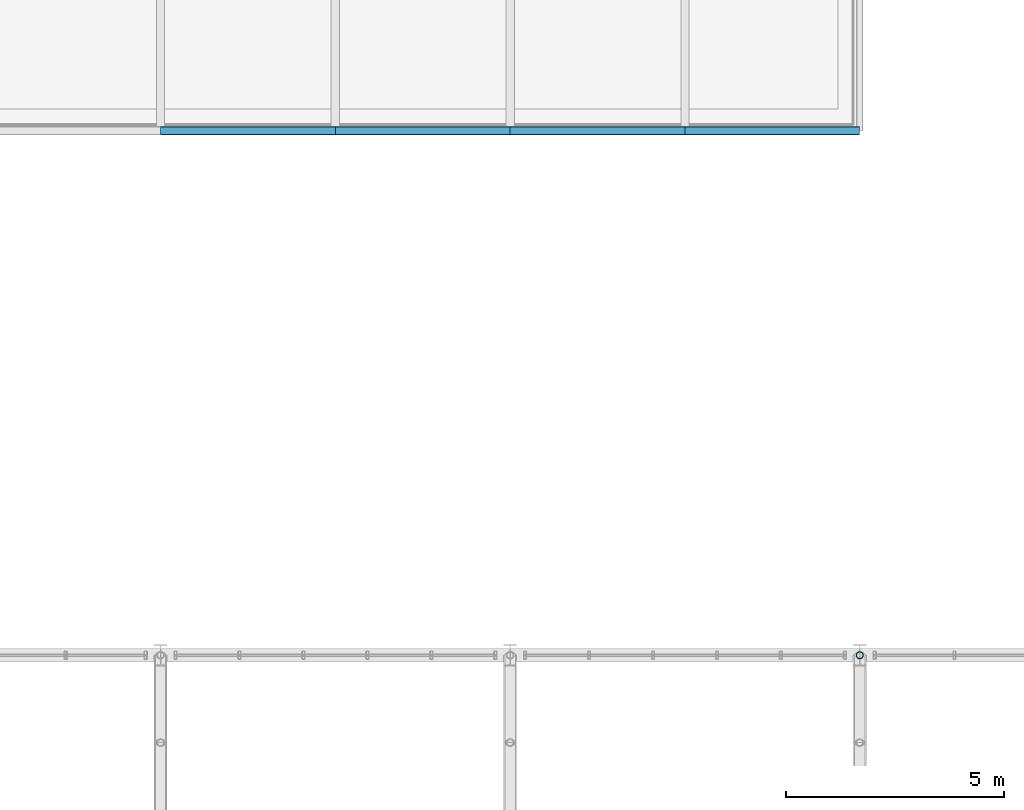
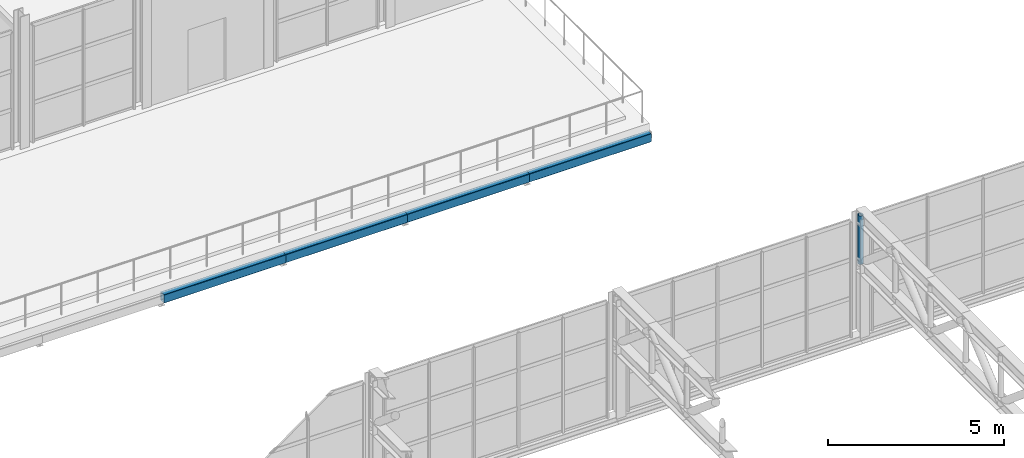
# One storey, part 38 of 67: 4 beams, 1 member.
"""IFC4 building model written with IfcOpenShell, lengths in metres."""

import ifcopenshell
import ifcopenshell.guid

model = None  # the IFC model being written
_history = None  # IfcOwnerHistory: only IFC2X3 demands one
_inside = {}  # id of a spatial element -> (the spatial element, [elements in it])
_under = {}  # id of a project, library or spatial element -> (it, [spatial elements below it])
_declared = {}  # id of a project -> (the project, [libraries it declares])
_typed = {}  # id of a type object -> (the type object, [elements of that type])
_made_of = {}  # id of a material, layer set ... -> (it, [elements and type objects made of it])


def new_model(schema):
    """Start an empty IFC model of exactly this schema.

    Asked for "IFC4X3", IfcOpenShell would pick the latest addendum, in which some entities
    have other attributes; the version numbers below select the first issue.
    IFC2X3 requires an IfcOwnerHistory on every rooted entity: one is made here for all.
    """
    global model, _history
    if schema == "IFC4X3":
        model = ifcopenshell.file(schema_version=(4, 3, 0, 0))
    else:
        model = ifcopenshell.file(schema=schema)
    _inside.clear()
    _under.clear()
    _declared.clear()
    _typed.clear()
    _made_of.clear()
    _history = None
    if model.schema == "IFC2X3":
        org = make("IfcOrganization", Name="unknown")
        user = make(
            "IfcPersonAndOrganization",
            ThePerson=make("IfcPerson", FamilyName="unknown"),
            TheOrganization=org,
        )
        app = make(
            "IfcApplication",
            ApplicationDeveloper=org,
            Version="unknown",
            ApplicationFullName="unknown",
            ApplicationIdentifier="unknown",
        )
        _history = make(
            "IfcOwnerHistory",
            OwningUser=user,
            OwningApplication=app,
            ChangeAction="ADDED",
            CreationDate=0,
        )
    return model


def make(cls, **values):
    """One entity of the class cls with the attributes given. An attribute that is None is left unset."""
    return model.create_entity(
        cls, **{name: value for name, value in values.items() if value is not None}
    )


def rooted(cls, **values):
    """An entity with a GlobalId (a new one), such as an element, a storey or a relation."""
    return make(cls, GlobalId=ifcopenshell.guid.new(), OwnerHistory=_history, **values)


def si_unit(unit_type, name, prefix=None):
    """IfcSIUnit, for example si_unit("LENGTHUNIT", "METRE", prefix="MILLI")."""
    return make("IfcSIUnit", UnitType=unit_type, Prefix=prefix, Name=name)


def derived_unit(unit_type, elements):
    """IfcDerivedUnit: a product of units, each with its exponent."""
    return make(
        "IfcDerivedUnit",
        Elements=[
            make("IfcDerivedUnitElement", Unit=unit, Exponent=power)
            for unit, power in elements
        ],
        UnitType=unit_type,
    )


def assignment(units):
    """IfcUnitAssignment: the units of a project."""
    return None if units is None else make("IfcUnitAssignment", Units=units)


def point(xyz):
    """IfcCartesianPoint."""
    return None if xyz is None else make("IfcCartesianPoint", Coordinates=xyz)


def direction(xyz):
    """IfcDirection."""
    return None if xyz is None else make("IfcDirection", DirectionRatios=xyz)


def frame(location, z_axis=None, x_axis=None):
    """IfcAxis2Placement3D, a coordinate frame: its origin and axes. An axis left out is left unset."""
    return make(
        "IfcAxis2Placement3D",
        Location=point(location),
        Axis=direction(z_axis),
        RefDirection=direction(x_axis),
    )


def frame_2d(location, x_axis=None):
    """IfcAxis2Placement2D, a coordinate frame in the plane: its origin and x axis."""
    return make(
        "IfcAxis2Placement2D", Location=point(location), RefDirection=direction(x_axis)
    )


def origin():
    """The frame at (0, 0, 0) with its axes left unset."""
    return frame((0.0, 0.0, 0.0))


def origin_2d():
    """The frame at (0, 0) in the plane with its x axis left unset."""
    return frame_2d((0.0, 0.0))


def place(relative_to, where):
    """IfcLocalPlacement: puts the frame where relative to a parent placement (None: the world)."""
    return make(
        "IfcLocalPlacement", PlacementRelTo=relative_to, RelativePlacement=where
    )


def context(
    kind, dimensions, precision=None, world=None, true_north=None, identifier=None
):
    """IfcGeometricRepresentationContext, for example the 3D "Model" context."""
    return make(
        "IfcGeometricRepresentationContext",
        ContextIdentifier=identifier,
        ContextType=kind,
        CoordinateSpaceDimension=dimensions,
        Precision=precision,
        WorldCoordinateSystem=world,
        TrueNorth=true_north,
    )


def subcontext(parent, identifier, kind, view, scale=None):
    """IfcGeometricRepresentationSubContext, for example "Body" below "Model"."""
    return make(
        "IfcGeometricRepresentationSubContext",
        ContextIdentifier=identifier,
        ContextType=kind,
        ParentContext=parent,
        TargetScale=scale,
        TargetView=view,
    )


def project(units=None, contexts=None):
    """IfcProject with its units and contexts."""
    return rooted(
        "IfcProject",
        Name="project",
        RepresentationContexts=contexts,
        UnitsInContext=assignment(units),
    )


def spatial(cls, under=None, at=None, **own):
    """A site, building, storey or space (cls), placed at a placement, below another one or the project."""
    s = rooted(cls, ObjectPlacement=at, **own)
    if under is not None:
        _under.setdefault(under.id(), (under, []))[1].append(s)
    return s


def profile(cls, at=None, kind="AREA", **sizes):
    """A parametric profile (cls). Its sizes go by their IFC names, for example OverallWidth=200.0."""
    return make(cls, ProfileType=kind, Position=at, **sizes)


def hollow_rectangle(**sizes):
    """IfcRectangleHollowProfileDef."""
    return profile("IfcRectangleHollowProfileDef", **sizes)


def hollow_circle(**sizes):
    """IfcCircleHollowProfileDef."""
    return profile("IfcCircleHollowProfileDef", **sizes)


def extrude(swept, where, along, depth):
    """IfcExtrudedAreaSolid: the profile swept, set in the frame where, extruded along a direction by depth."""
    return make(
        "IfcExtrudedAreaSolid",
        SweptArea=swept,
        Position=where,
        ExtrudedDirection=direction(along),
        Depth=depth,
    )


def shape(context_of_items, identifier, shape_type, items):
    """IfcShapeRepresentation: the items that make up one representation, for example the "Body"."""
    return make(
        "IfcShapeRepresentation",
        ContextOfItems=context_of_items,
        RepresentationIdentifier=identifier,
        RepresentationType=shape_type,
        Items=items,
    )


def material(Name=None, Category=None):
    """IfcMaterial."""
    return make("IfcMaterial", Name=Name, Category=Category)


def material_profile(
    of_material, cross_section, Name=None, Category=None, Priority=None
):
    """IfcMaterialProfile: a cross section and its material."""
    return make(
        "IfcMaterialProfile",
        Name=Name,
        Material=of_material,
        Profile=cross_section,
        Priority=Priority,
        Category=Category,
    )


def profile_set(profiles, Name=None, composite=None):
    """IfcMaterialProfileSet."""
    return make(
        "IfcMaterialProfileSet",
        Name=Name,
        MaterialProfiles=profiles,
        CompositeProfile=composite,
    )


def made_of(thing, what):
    """Note that an element or type object is made of a material, layer set ...; save() writes the relation."""
    if what is not None:
        _made_of.setdefault(what.id(), (what, []))[1].append(thing)
    return thing


def type_object(cls, material=None, **own):
    """A type object (cls), such as IfcWallType, which elements share."""
    return made_of(rooted(cls, **own), material)


def element(
    cls,
    number,
    at=None,
    inside=None,
    cuts=None,
    type_object=None,
    material=None,
    context=None,
    identifier="Body",
    shape_type=None,
    held_by="IfcProductDefinitionShape",
    body=None,
    shapes=None,
    **own,
):
    """One element of the class cls, such as IfcWall. Its Tag is "e" and its number.

    at: its placement. inside: the storey or other place that contains it. cuts: it is an
    opening in that element (IfcRelVoidsElement). A single representation is given by context,
    identifier, shape_type and body (its items); several are given by shapes. held_by: the class
    of the entity that holds the representations. save() writes the other relations.
    """
    e = rooted(cls, Tag="e%d" % number, ObjectPlacement=at, **own)
    if body is not None:
        shapes = [shape(context, identifier, shape_type, body)]
    if shapes is not None:
        e.Representation = make(held_by, Representations=shapes)
    if inside is not None:
        _inside.setdefault(inside.id(), (inside, []))[1].append(e)
    if cuts is not None:
        rooted(
            "IfcRelVoidsElement", RelatingBuildingElement=cuts, RelatedOpeningElement=e
        )
    if type_object is not None:
        _typed.setdefault(type_object.id(), (type_object, []))[1].append(e)
    return made_of(e, material)


def aggregate(whole, parts):
    """IfcRelAggregates: a whole, such as a stair, and the parts it consists of."""
    return rooted("IfcRelAggregates", RelatingObject=whole, RelatedObjects=parts)


def save(model, path):
    """Write the relations noted so far, then the file.

    IfcRelAggregates (storeys below a building ...), IfcRelContainedInSpatialStructure (elements
    in a storey), IfcRelDefinesByType, IfcRelAssociatesMaterial and IfcRelDeclares: one each for
    every whole, place, type object, material and project.
    """
    for whole, parts in _under.values():
        aggregate(whole, parts)
    for where, things in _inside.values():
        rooted(
            "IfcRelContainedInSpatialStructure",
            RelatedElements=things,
            RelatingStructure=where,
        )
    for kind, things in _typed.values():
        rooted("IfcRelDefinesByType", RelatedObjects=things, RelatingType=kind)
    for what, things in _made_of.values():
        rooted("IfcRelAssociatesMaterial", RelatedObjects=things, RelatingMaterial=what)
    for by, libraries in _declared.values():
        rooted("IfcRelDeclares", RelatingContext=by, RelatedDefinitions=libraries)
    model.write(path)


model = new_model("IFC4")

# Units and contexts
model_context = context("Model", 3, precision=1e-05, world=origin(), true_north=direction((0.0, 1.0)))
body_context = subcontext(model_context, "Body", "Model", "MODEL_VIEW")
ifc_project = project(units=[si_unit("LENGTHUNIT", "METRE"), si_unit("AREAUNIT", "SQUARE_METRE"), si_unit("VOLUMEUNIT", "CUBIC_METRE"), si_unit("PLANEANGLEUNIT", "RADIAN"), si_unit("MASSUNIT", "GRAM", prefix="KILO"), derived_unit("THERMALTRANSMITTANCEUNIT", [(si_unit("POWERUNIT", "WATT"), 1), (si_unit("LENGTHUNIT", "METRE"), -2), (si_unit("THERMODYNAMICTEMPERATUREUNIT", "KELVIN"), -1)])], contexts=[model_context])

# Site, building, storey
site_placement = place(None, origin())
site = spatial("IfcSite", under=ifc_project, at=site_placement, CompositionType="ELEMENT")
building_placement = place(site_placement, origin())
building = spatial("IfcBuilding", under=site, at=building_placement, Name="Keldorne Ridge Multi-Sports Centre", CompositionType="ELEMENT")
storey_placement = place(building_placement, frame((0.0, 0.0, 14.0)))
storey = spatial("IfcBuildingStorey", under=building, at=storey_placement, Name="L03", CompositionType="ELEMENT", Elevation=14.0)

# Beams
ifc_material = material(Name="Steel S355", Category="steel")
ifc_material_profile_1 = material_profile(ifc_material, hollow_rectangle(XDim=0.199951171875, YDim=0.300048828125, WallThickness=0.012451171875, InnerFilletRadius=0.012451171875, OuterFilletRadius=0.02490234375, at=origin_2d()), Name="RHS 300x200x12.5")
ifc_profile_set_1 = profile_set([ifc_material_profile_1], Name="Steel S355")
beam_type = type_object("IfcBeamType", Name="BM-SP-01", PredefinedType="SPANDREL", material=ifc_profile_set_1)
for number, where, z_axis, x_axis, name in (
    (1, (136.0, 66.0, -0.449951171875), (1.0, 0.0, 0.0), (0.0, 1.0, 0.0), "L03 primary beam 7.66"),
    (2, (140.0, 66.0, -0.449951171875), (1.0, 0.0, 0.0), (0.0, 1.0, 0.0), "L03 primary beam 8.66"),
    (3, (144.0, 66.0, -0.449951171875), (1.0, 0.0, 0.0), (0.0, 1.0, 0.0), "L03 primary beam 9.66"),
    (4, (148.0, 66.0, -0.449951171875), (1.0, 0.0, 0.0), (0.0, 1.0, 0.0), "L03 primary beam 10.66"),
):
    element("IfcBeam", number, at=place(storey_placement, frame(where, z_axis=z_axis, x_axis=x_axis)), inside=storey, type_object=beam_type, Name=name, PredefinedType="SPANDREL", context=body_context, shape_type="SweptSolid", body=[
        extrude(hollow_rectangle(XDim=0.199951171875, YDim=0.300048828125, WallThickness=0.012451171875, InnerFilletRadius=0.012451171875, OuterFilletRadius=0.02490234375, at=origin_2d()), origin(), (0.0, 0.0, 1.0), 4.0),
    ])

# Member
ifc_material_profile_2 = material_profile(ifc_material, hollow_circle(Radius=0.084228515625, WallThickness=0.010009765625, at=origin_2d()), Name="CHS 168.3x10")
ifc_profile_set_2 = profile_set([ifc_material_profile_2], Name="Steel S355")
member_type = type_object("IfcMemberType", Name="MEM-TV-01", PredefinedType="STRUT", material=ifc_profile_set_2)
member_placement = place(storey_placement, frame((152.0, 54.0, 2.429931640625), z_axis=(0.0, 0.0, 1.0), x_axis=(1.0, 0.0, 0.0)))
element("IfcMember", 5, at=member_placement, inside=storey, type_object=member_type, Name="Stacked Courts Warren TRUSS WT-L04-07 end post 24", PredefinedType="STRUT", context=body_context, shape_type="SweptSolid", body=[
    extrude(hollow_circle(Radius=0.084228515625, WallThickness=0.010009765625, at=origin_2d()), origin(), (0.0, 0.0, 1.0), 1.68017578125),
])

save(model, "model.ifc")
